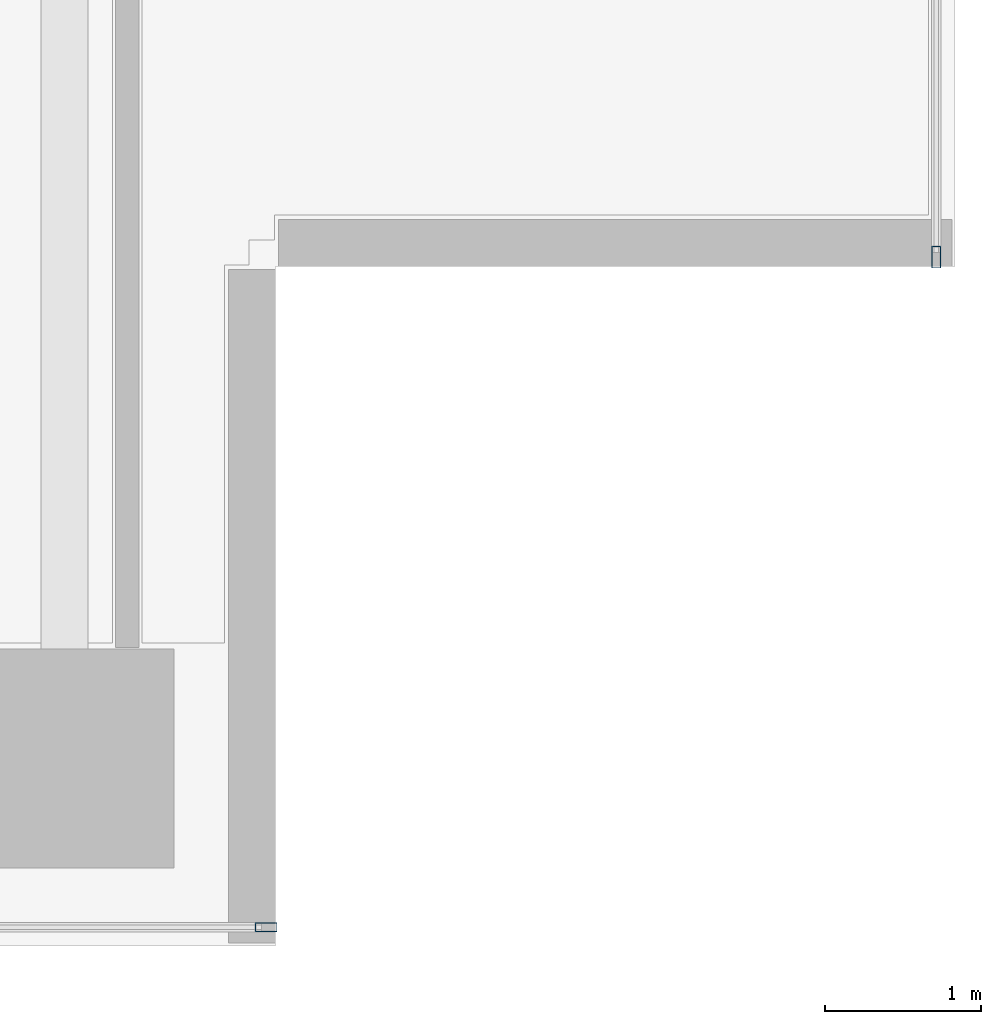
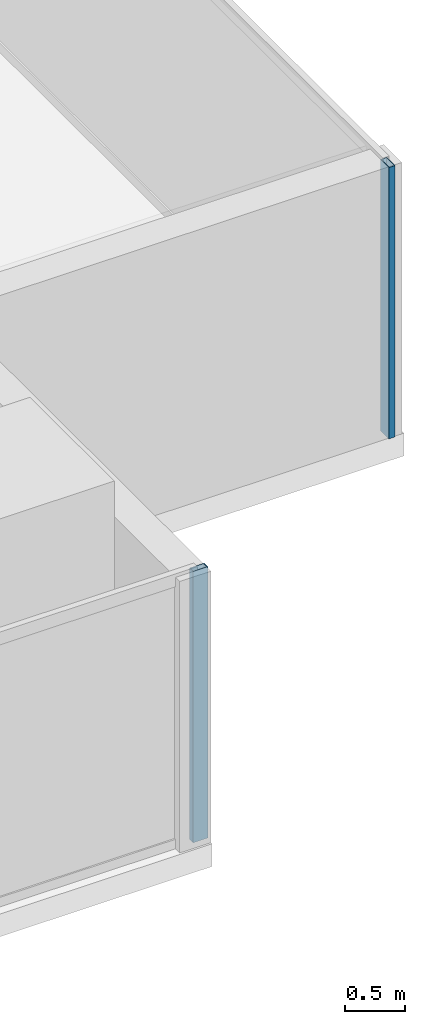
# One storey, part 11 of 26: 2 members, 2 elements without a shape of their own.
"""IFC4 building model written with IfcOpenShell, lengths in metres."""

import ifcopenshell
import ifcopenshell.guid

model = None  # the IFC model being written
_history = None  # IfcOwnerHistory: only IFC2X3 demands one
_inside = {}  # id of a spatial element -> (the spatial element, [elements in it])
_under = {}  # id of a project, library or spatial element -> (it, [spatial elements below it])
_declared = {}  # id of a project -> (the project, [libraries it declares])
_typed = {}  # id of a type object -> (the type object, [elements of that type])
_made_of = {}  # id of a material, layer set ... -> (it, [elements and type objects made of it])


def new_model(schema):
    """Start an empty IFC model of exactly this schema.

    Asked for "IFC4X3", IfcOpenShell would pick the latest addendum, in which some entities
    have other attributes; the version numbers below select the first issue.
    IFC2X3 requires an IfcOwnerHistory on every rooted entity: one is made here for all.
    """
    global model, _history
    if schema == "IFC4X3":
        model = ifcopenshell.file(schema_version=(4, 3, 0, 0))
    else:
        model = ifcopenshell.file(schema=schema)
    _inside.clear()
    _under.clear()
    _declared.clear()
    _typed.clear()
    _made_of.clear()
    _history = None
    if model.schema == "IFC2X3":
        org = make("IfcOrganization", Name="unknown")
        user = make(
            "IfcPersonAndOrganization",
            ThePerson=make("IfcPerson", FamilyName="unknown"),
            TheOrganization=org,
        )
        app = make(
            "IfcApplication",
            ApplicationDeveloper=org,
            Version="unknown",
            ApplicationFullName="unknown",
            ApplicationIdentifier="unknown",
        )
        _history = make(
            "IfcOwnerHistory",
            OwningUser=user,
            OwningApplication=app,
            ChangeAction="ADDED",
            CreationDate=0,
        )
    return model


def make(cls, **values):
    """One entity of the class cls with the attributes given. An attribute that is None is left unset."""
    return model.create_entity(
        cls, **{name: value for name, value in values.items() if value is not None}
    )


def rooted(cls, **values):
    """An entity with a GlobalId (a new one), such as an element, a storey or a relation."""
    return make(cls, GlobalId=ifcopenshell.guid.new(), OwnerHistory=_history, **values)


def si_unit(unit_type, name, prefix=None):
    """IfcSIUnit, for example si_unit("LENGTHUNIT", "METRE", prefix="MILLI")."""
    return make("IfcSIUnit", UnitType=unit_type, Prefix=prefix, Name=name)


def assignment(units):
    """IfcUnitAssignment: the units of a project."""
    return None if units is None else make("IfcUnitAssignment", Units=units)


def point(xyz):
    """IfcCartesianPoint."""
    return None if xyz is None else make("IfcCartesianPoint", Coordinates=xyz)


def direction(xyz):
    """IfcDirection."""
    return None if xyz is None else make("IfcDirection", DirectionRatios=xyz)


def frame(location, z_axis=None, x_axis=None):
    """IfcAxis2Placement3D, a coordinate frame: its origin and axes. An axis left out is left unset."""
    return make(
        "IfcAxis2Placement3D",
        Location=point(location),
        Axis=direction(z_axis),
        RefDirection=direction(x_axis),
    )


def frame_2d(location, x_axis=None):
    """IfcAxis2Placement2D, a coordinate frame in the plane: its origin and x axis."""
    return make(
        "IfcAxis2Placement2D", Location=point(location), RefDirection=direction(x_axis)
    )


def origin():
    """The frame at (0, 0, 0) with its axes left unset."""
    return frame((0.0, 0.0, 0.0))


def origin_2d():
    """The frame at (0, 0) in the plane with its x axis left unset."""
    return frame_2d((0.0, 0.0))


def place(relative_to, where):
    """IfcLocalPlacement: puts the frame where relative to a parent placement (None: the world)."""
    return make(
        "IfcLocalPlacement", PlacementRelTo=relative_to, RelativePlacement=where
    )


def context(
    kind, dimensions, precision=None, world=None, true_north=None, identifier=None
):
    """IfcGeometricRepresentationContext, for example the 3D "Model" context."""
    return make(
        "IfcGeometricRepresentationContext",
        ContextIdentifier=identifier,
        ContextType=kind,
        CoordinateSpaceDimension=dimensions,
        Precision=precision,
        WorldCoordinateSystem=world,
        TrueNorth=true_north,
    )


def subcontext(parent, identifier, kind, view, scale=None):
    """IfcGeometricRepresentationSubContext, for example "Body" below "Model"."""
    return make(
        "IfcGeometricRepresentationSubContext",
        ContextIdentifier=identifier,
        ContextType=kind,
        ParentContext=parent,
        TargetScale=scale,
        TargetView=view,
    )


def project(units=None, contexts=None):
    """IfcProject with its units and contexts."""
    return rooted(
        "IfcProject",
        Name="project",
        RepresentationContexts=contexts,
        UnitsInContext=assignment(units),
    )


def spatial(cls, under=None, at=None, **own):
    """A site, building, storey or space (cls), placed at a placement, below another one or the project."""
    s = rooted(cls, ObjectPlacement=at, **own)
    if under is not None:
        _under.setdefault(under.id(), (under, []))[1].append(s)
    return s


def profile(cls, at=None, kind="AREA", **sizes):
    """A parametric profile (cls). Its sizes go by their IFC names, for example OverallWidth=200.0."""
    return make(cls, ProfileType=kind, Position=at, **sizes)


def hollow_rectangle(**sizes):
    """IfcRectangleHollowProfileDef."""
    return profile("IfcRectangleHollowProfileDef", **sizes)


def extrude(swept, where, along, depth):
    """IfcExtrudedAreaSolid: the profile swept, set in the frame where, extruded along a direction by depth."""
    return make(
        "IfcExtrudedAreaSolid",
        SweptArea=swept,
        Position=where,
        ExtrudedDirection=direction(along),
        Depth=depth,
    )


def shape(context_of_items, identifier, shape_type, items):
    """IfcShapeRepresentation: the items that make up one representation, for example the "Body"."""
    return make(
        "IfcShapeRepresentation",
        ContextOfItems=context_of_items,
        RepresentationIdentifier=identifier,
        RepresentationType=shape_type,
        Items=items,
    )


def source(mapping_origin, context_of_items, identifier, shape_type, items):
    """IfcRepresentationMap: a shape defined once, which mapped items show again and again."""
    return make(
        "IfcRepresentationMap",
        MappingOrigin=mapping_origin,
        MappedRepresentation=shape(context_of_items, identifier, shape_type, items),
    )


def transform(
    local_origin,
    x_axis=None,
    y_axis=None,
    z_axis=None,
    scale=None,
    scale2=None,
    scale3=None,
    uniform=True,
):
    """IfcCartesianTransformationOperator3D, or its non-uniform kind. x_axis, y_axis, z_axis: its Axis1, 2, 3."""
    if uniform:
        return make(
            "IfcCartesianTransformationOperator3D",
            Axis1=direction(x_axis),
            Axis2=direction(y_axis),
            LocalOrigin=point(local_origin),
            Scale=scale,
            Axis3=direction(z_axis),
        )
    return make(
        "IfcCartesianTransformationOperator3DnonUniform",
        Axis1=direction(x_axis),
        Axis2=direction(y_axis),
        LocalOrigin=point(local_origin),
        Scale=scale,
        Axis3=direction(z_axis),
        Scale2=scale2,
        Scale3=scale3,
    )


def mapped(mapping_source, mapping_target):
    """IfcMappedItem: shows the shape of a source again, moved by a transform."""
    return make(
        "IfcMappedItem", MappingSource=mapping_source, MappingTarget=mapping_target
    )


def material(Name=None, Category=None):
    """IfcMaterial."""
    return make("IfcMaterial", Name=Name, Category=Category)


def layer(
    of_material, thickness, ventilated=None, Name=None, Category=None, Priority=None
):
    """IfcMaterialLayer: one layer of a wall or slab, of a material (None: an air gap)."""
    return make(
        "IfcMaterialLayer",
        Material=of_material,
        LayerThickness=thickness,
        IsVentilated=ventilated,
        Name=Name,
        Category=Category,
        Priority=Priority,
    )


def layer_set(layers, Name=None):
    """IfcMaterialLayerSet."""
    return make("IfcMaterialLayerSet", MaterialLayers=layers, LayerSetName=Name)


def material_profile(
    of_material, cross_section, Name=None, Category=None, Priority=None
):
    """IfcMaterialProfile: a cross section and its material."""
    return make(
        "IfcMaterialProfile",
        Name=Name,
        Material=of_material,
        Profile=cross_section,
        Priority=Priority,
        Category=Category,
    )


def profile_set(profiles, Name=None, composite=None):
    """IfcMaterialProfileSet."""
    return make(
        "IfcMaterialProfileSet",
        Name=Name,
        MaterialProfiles=profiles,
        CompositeProfile=composite,
    )


def made_of(thing, what):
    """Note that an element or type object is made of a material, layer set ...; save() writes the relation."""
    if what is not None:
        _made_of.setdefault(what.id(), (what, []))[1].append(thing)
    return thing


def type_object(cls, material=None, **own):
    """A type object (cls), such as IfcWallType, which elements share."""
    return made_of(rooted(cls, **own), material)


def element(
    cls,
    number,
    at=None,
    inside=None,
    cuts=None,
    type_object=None,
    material=None,
    context=None,
    identifier="Body",
    shape_type=None,
    held_by="IfcProductDefinitionShape",
    body=None,
    shapes=None,
    **own,
):
    """One element of the class cls, such as IfcWall. Its Tag is "e" and its number.

    at: its placement. inside: the storey or other place that contains it. cuts: it is an
    opening in that element (IfcRelVoidsElement). A single representation is given by context,
    identifier, shape_type and body (its items); several are given by shapes. held_by: the class
    of the entity that holds the representations. save() writes the other relations.
    """
    e = rooted(cls, Tag="e%d" % number, ObjectPlacement=at, **own)
    if body is not None:
        shapes = [shape(context, identifier, shape_type, body)]
    if shapes is not None:
        e.Representation = make(held_by, Representations=shapes)
    if inside is not None:
        _inside.setdefault(inside.id(), (inside, []))[1].append(e)
    if cuts is not None:
        rooted(
            "IfcRelVoidsElement", RelatingBuildingElement=cuts, RelatedOpeningElement=e
        )
    if type_object is not None:
        _typed.setdefault(type_object.id(), (type_object, []))[1].append(e)
    return made_of(e, material)


def aggregate(whole, parts):
    """IfcRelAggregates: a whole, such as a stair, and the parts it consists of."""
    return rooted("IfcRelAggregates", RelatingObject=whole, RelatedObjects=parts)


def save(model, path):
    """Write the relations noted so far, then the file.

    IfcRelAggregates (storeys below a building ...), IfcRelContainedInSpatialStructure (elements
    in a storey), IfcRelDefinesByType, IfcRelAssociatesMaterial and IfcRelDeclares: one each for
    every whole, place, type object, material and project.
    """
    for whole, parts in _under.values():
        aggregate(whole, parts)
    for where, things in _inside.values():
        rooted(
            "IfcRelContainedInSpatialStructure",
            RelatedElements=things,
            RelatingStructure=where,
        )
    for kind, things in _typed.values():
        rooted("IfcRelDefinesByType", RelatedObjects=things, RelatingType=kind)
    for what, things in _made_of.values():
        rooted("IfcRelAssociatesMaterial", RelatedObjects=things, RelatingMaterial=what)
    for by, libraries in _declared.values():
        rooted("IfcRelDeclares", RelatingContext=by, RelatedDefinitions=libraries)
    model.write(path)


model = new_model("IFC4")

# Units and contexts
model_context = context("Model", 3, precision=1e-05, world=origin(), true_north=direction((0.0, 1.0)))
body_context = subcontext(model_context, "Body", "Model", "MODEL_VIEW")
ifc_project = project(units=[si_unit("LENGTHUNIT", "METRE"), si_unit("AREAUNIT", "SQUARE_METRE"), si_unit("VOLUMEUNIT", "CUBIC_METRE"), si_unit("PLANEANGLEUNIT", "RADIAN"), si_unit("MASSUNIT", "GRAM", prefix="KILO")], contexts=[model_context])

# Site, building, storey
site_placement = place(None, origin())
site = spatial("IfcSite", under=ifc_project, at=site_placement, CompositionType="ELEMENT")
building_placement = place(site_placement, origin())
building = spatial("IfcBuilding", under=site, at=building_placement, Name="Sumidabori Civic Tower", CompositionType="ELEMENT")
storey_placement = place(building_placement, frame((0.0, 0.0, 243.199951171875)))
storey = spatial("IfcBuildingStorey", under=building, at=storey_placement, Name="L63", CompositionType="ELEMENT", Elevation=243.199951171875)

# Curtain wall, member
ifc_material = material(Name="Anodised Bronze Aluminium AW-6063-T6", Category="aluminium")
ifc_layer = layer(ifc_material, 0.179931640625, Name="Anodised Bronze Aluminium AW-6063-T6")
ifc_layer_set = layer_set([ifc_layer], Name="Anodised Bronze Aluminium AW-6063-T6")
curtain_wall_type = type_object("IfcCurtainWallType", Name="CW-SYS-5", PredefinedType="NOTDEFINED", material=ifc_layer_set)
curtain_wall_1_placement = place(storey_placement, origin())
curtain_wall_1 = element("IfcCurtainWall", 1, at=curtain_wall_1_placement, inside=storey, type_object=curtain_wall_type, Name="Curtain Wall CW:L63:R01", PredefinedType="NOTDEFINED")
ifc_material_profile = material_profile(ifc_material, hollow_rectangle(XDim=0.06005859375, YDim=0.139892578125, WallThickness=0.0048828125, at=origin_2d()), Name="ALU MULLION 140x60")
ifc_profile_set = profile_set([ifc_material_profile], Name="Anodised Bronze Aluminium AW-6063-T6")
member_type = type_object("IfcMemberType", Name="CW-MUL-140", PredefinedType="MULLION", material=ifc_profile_set)
shared_shape = source(origin(), body_context, "Body", "SweptSolid", [
    extrude(hollow_rectangle(XDim=0.06005859375, YDim=0.139892578125, WallThickness=0.0048828125, at=origin_2d()), origin(), (0.0, 0.0, 1.0), 2.75),
])
member_1_placement = place(storey_placement, frame((18.090087890625, -11.8798828125, 0.0), z_axis=(0.0, 0.0, 1.0), x_axis=(0.0, 1.0, 0.0)))
member_1 = element("IfcMember", 2, at=member_1_placement, type_object=member_type, Name="CW-5 mullion 5", PredefinedType="MULLION", context=body_context, shape_type="MappedRepresentation", body=[
    mapped(shared_shape, transform((0.0, 0.0, 0.0), x_axis=(1.0, 0.0, 0.0), y_axis=(0.0, 1.0, 0.0), z_axis=(0.0, 0.0, 1.0), scale=1.0)),
])
aggregate(curtain_wall_1, [member_1])

curtain_wall_2_placement = place(storey_placement, origin())
curtain_wall_2 = element("IfcCurtainWall", 3, at=curtain_wall_2_placement, inside=storey, type_object=curtain_wall_type, Name="Curtain Wall CW:L63:R04", PredefinedType="NOTDEFINED")
member_2_placement = place(storey_placement, frame((22.3798828125, -7.590087890625, 0.0), z_axis=(0.0, 0.0, 1.0), x_axis=(-1.0, 0.0, 0.0)))
member_2 = element("IfcMember", 4, at=member_2_placement, type_object=member_type, Name="CW-5 mullion 1", PredefinedType="MULLION", context=body_context, shape_type="MappedRepresentation", body=[
    mapped(shared_shape, transform((0.0, 0.0, 0.0), x_axis=(1.0, 0.0, 0.0), y_axis=(0.0, 1.0, 0.0), z_axis=(0.0, 0.0, 1.0), scale=1.0)),
])
aggregate(curtain_wall_2, [member_2])

save(model, "model.ifc")
